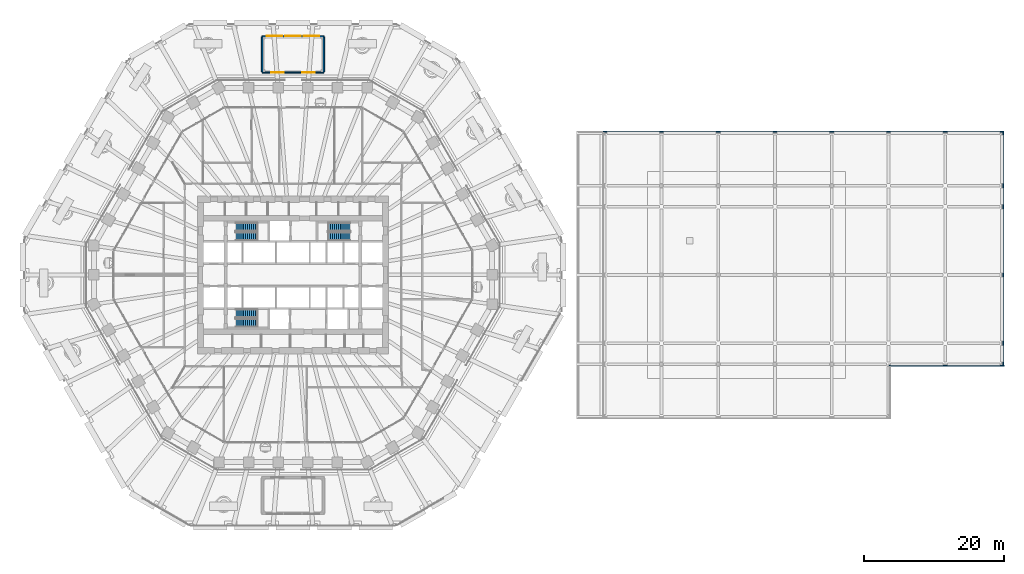
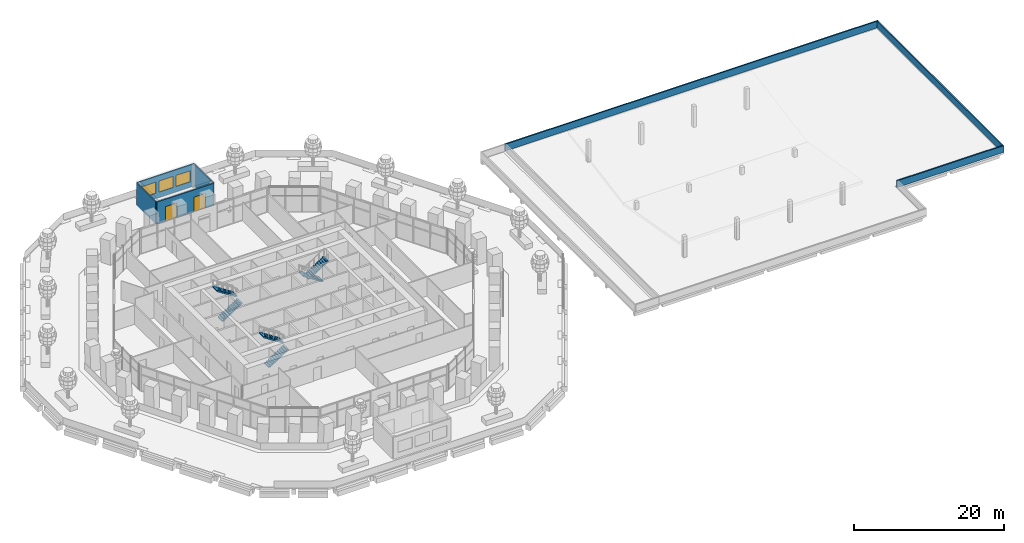
# One storey, part 27 of 32: 7 walls, 6 stair flights, 3 windows, 2 doors, 5 openings, 3 elements without a shape of their own.
"""IFC4 building model written with IfcOpenShell, lengths in metres."""

from ifc_helpers import new_model, si_unit, direction, frame, frame_2d, origin, place, context, subcontext, project, spatial, polyline, rectangle, outline, extrude, material, layer, layer_set, type_object, element, fill, aggregate, save


model = new_model("IFC4")

# Units and contexts
model_context = context("Model", 3, precision=1e-05, world=origin(), true_north=direction((0.0, 1.0)))
body_context = subcontext(model_context, "Body", "Model", "MODEL_VIEW")
ifc_project = project(units=[si_unit("LENGTHUNIT", "METRE"), si_unit("AREAUNIT", "SQUARE_METRE"), si_unit("VOLUMEUNIT", "CUBIC_METRE"), si_unit("PLANEANGLEUNIT", "RADIAN"), si_unit("MASSUNIT", "GRAM", prefix="KILO")], contexts=[model_context])

# Site, building, storey
site_placement = place(None, origin())
site = spatial("IfcSite", under=ifc_project, at=site_placement, CompositionType="ELEMENT")
building_placement = place(site_placement, origin())
building = spatial("IfcBuilding", under=site, at=building_placement, Name="Frailejon Research Tower", CompositionType="ELEMENT")
storey_placement = place(building_placement, frame((0.0, 0.0, 14.60009765625)))
storey = spatial("IfcBuildingStorey", under=building, at=storey_placement, Name="L03", CompositionType="ELEMENT", Elevation=14.60009765625)

# Walls
ifc_material_1 = material(Name="Concrete C35/45", Category="concrete")
ifc_layer_1 = layer(ifc_material_1, 0.199951171875)
ifc_layer_set_1 = layer_set([ifc_layer_1], Name="HC parapet 200")
wall_type_1 = type_object("IfcWallType", Name="HC parapet 200", PredefinedType="PARAPET", material=ifc_layer_set_1)
wall_1_placement = place(storey_placement, frame((44.199951171875, 20.449951171875, 0.0), z_axis=(0.0, 0.0, 1.0), x_axis=(1.0, 0.0, 0.0)))
element("IfcWall", 1, at=wall_1_placement, inside=storey, type_object=wall_type_1, Name="HC roof parapet", PredefinedType="PARAPET", context=body_context, shape_type="SweptSolid", body=[
    extrude(rectangle(XDim=57.300048828125, YDim=0.199951171875, at=frame_2d((28.64990234375, 0.0))), origin(), (0.0, 0.0, 1.0), 1.099853515625),
])
wall_2_placement = place(storey_placement, frame((101.39990234375, -12.85009765625, 0.0), z_axis=(0.0, 0.0, 1.0), x_axis=(0.0, 1.0, 0.0)))
element("IfcWall", 2, at=wall_2_placement, inside=storey, type_object=wall_type_1, Name="HC roof parapet", PredefinedType="PARAPET", context=body_context, shape_type="SweptSolid", body=[
    extrude(rectangle(XDim=33.2001953125, YDim=0.199951171875, at=frame_2d((16.60009765625, 0.0))), origin(), (0.0, 0.0, 1.0), 1.099853515625),
])
wall_3_placement = place(storey_placement, frame((85.10009765625, -12.949951171875, 0.0), z_axis=(0.0, 0.0, 1.0), x_axis=(1.0, 0.0, 0.0)))
element("IfcWall", 3, at=wall_3_placement, inside=storey, type_object=wall_type_1, Name="HC roof parapet", PredefinedType="PARAPET", context=body_context, shape_type="SweptSolid", body=[
    extrude(rectangle(XDim=16.39990234375, YDim=0.199951171875, at=frame_2d((8.199951171875, 0.0))), origin(), (0.0, 0.0, 1.0), 1.099853515625),
])

# Wall, openings, doors
ifc_material_2 = material(Name="Concrete C40/50 precast window wall panel", Category="concrete")
ifc_layer_2 = layer(ifc_material_2, 0.199951171875)
ifc_layer_set_2 = layer_set([ifc_layer_2], Name="Window wall 200")
wall_type_2 = type_object("IfcWallType", Name="Window wall 200", PredefinedType="SOLIDWALL", material=ifc_layer_set_2)
wall_4_placement = place(storey_placement, frame((4.39990234375, 28.89990234375, 0.0), z_axis=(0.0, 0.0, 1.0), x_axis=(-1.0, 0.0, 0.0)))
wall_4 = element("IfcWall", 4, at=wall_4_placement, inside=storey, type_object=wall_type_2, Name="Garden pavilion wall L03", PredefinedType="SOLIDWALL", context=body_context, shape_type="SweptSolid", body=[
    extrude(rectangle(XDim=8.7998046875, YDim=0.199951171875, at=frame_2d((4.39990234375, 0.0))), origin(), (0.0, 0.0, 1.0), 3.599853515625),
])
opening_1_placement = place(wall_4_placement, frame((1.300048828125, 0.0, 0.0)))
opening_1 = element("IfcOpeningElement", 5, at=opening_1_placement, cuts=wall_4, Name="Opening GP03-1A", PredefinedType="OPENING", context=body_context, shape_type="SweptSolid", body=[
    extrude(rectangle(XDim=1.800048828125, YDim=2.39990234375, at=frame_2d((0.89990234375, 1.199951171875))), frame((0.0, 0.10986328125, 0.0), z_axis=(0.0, -1.0, 0.0), x_axis=(1.0, 0.0, 0.0)), (0.0, 0.0, 1.0), 0.219970703125),
])
opening_2_placement = place(wall_4_placement, frame((5.699951171875, 0.0, 0.0)))
opening_2 = element("IfcOpeningElement", 6, at=opening_2_placement, cuts=wall_4, Name="Opening GP03-1B", PredefinedType="OPENING", context=body_context, shape_type="SweptSolid", body=[
    extrude(rectangle(XDim=1.800048828125, YDim=2.39990234375, at=frame_2d((0.89990234375, 1.199951171875))), frame((0.0, 0.10986328125, 0.0), z_axis=(0.0, -1.0, 0.0), x_axis=(1.0, 0.0, 0.0)), (0.0, 0.0, 1.0), 0.219970703125),
])
ifc_material_3 = material(Name="Aluminium framed glazed door leaf", Category="aluminium")
door_type = type_object("IfcDoorType", Name="Terrace door 1800x2400", OperationType="DOUBLE_DOOR_SINGLE_SWING", PredefinedType="DOOR", material=ifc_material_3)
door_1_placement = place(opening_1_placement, origin())
door_1 = element("IfcDoor", 7, at=door_1_placement, inside=storey, type_object=door_type, Name="Door GP03-1A", OperationType="DOUBLE_DOOR_SINGLE_SWING", OverallHeight=2.39990234375, OverallWidth=1.800048828125, PredefinedType="DOOR", context=body_context, shape_type="SweptSolid", body=[
    extrude(rectangle(XDim=1.800048828125, YDim=2.39990234375, at=frame_2d((0.89990234375, 1.199951171875))), frame((0.0, 0.02490234375, 0.0), z_axis=(0.0, -1.0, 0.0), x_axis=(1.0, 0.0, 0.0)), (0.0, 0.0, 1.0), 0.050048828125),
])
fill(opening_1, door_1)
door_2_placement = place(opening_2_placement, origin())
door_2 = element("IfcDoor", 8, at=door_2_placement, inside=storey, type_object=door_type, Name="Door GP03-1B", OperationType="DOUBLE_DOOR_SINGLE_SWING", OverallHeight=2.39990234375, OverallWidth=1.800048828125, PredefinedType="DOOR", context=body_context, shape_type="SweptSolid", body=[
    extrude(rectangle(XDim=1.800048828125, YDim=2.39990234375, at=frame_2d((0.89990234375, 1.199951171875))), frame((0.0, 0.02490234375, 0.0), z_axis=(0.0, -1.0, 0.0), x_axis=(1.0, 0.0, 0.0)), (0.0, 0.0, 1.0), 0.050048828125),
])
fill(opening_2, door_2)

# Wall
wall_5_placement = place(storey_placement, frame((-4.39990234375, 29.0, 0.0), z_axis=(0.0, 0.0, 1.0), x_axis=(0.0, 1.0, 0.0)))
element("IfcWall", 9, at=wall_5_placement, inside=storey, type_object=wall_type_2, Name="Garden pavilion wall L03", PredefinedType="SOLIDWALL", context=body_context, shape_type="SweptSolid", body=[
    extrude(rectangle(XDim=5.0, YDim=0.199951171875, at=frame_2d((2.5, 0.0))), origin(), (0.0, 0.0, 1.0), 3.599853515625),
])

# Wall, openings, windows
wall_6_placement = place(storey_placement, frame((-4.39990234375, 34.10009765625, 0.0), z_axis=(0.0, 0.0, 1.0), x_axis=(1.0, 0.0, 0.0)))
wall_6 = element("IfcWall", 10, at=wall_6_placement, inside=storey, type_object=wall_type_2, Name="Garden pavilion wall L03", PredefinedType="SOLIDWALL", context=body_context, shape_type="SweptSolid", body=[
    extrude(rectangle(XDim=8.7998046875, YDim=0.199951171875, at=frame_2d((4.39990234375, 0.0))), origin(), (0.0, 0.0, 1.0), 3.599853515625),
])
opening_3_placement = place(wall_6_placement, frame((0.659912109375, 0.0, 0.89990234375)))
opening_3 = element("IfcOpeningElement", 11, at=opening_3_placement, cuts=wall_6, Name="Opening W2", PredefinedType="OPENING", context=body_context, shape_type="SweptSolid", body=[
    extrude(rectangle(XDim=2.199951171875, YDim=1.800048828125, at=frame_2d((1.10009765625, 0.89990234375))), frame((0.0, 0.10986328125, 0.0), z_axis=(0.0, -1.0, 0.0), x_axis=(1.0, 0.0, 0.0)), (0.0, 0.0, 1.0), 0.219970703125),
])
opening_4_placement = place(wall_6_placement, frame((3.300048828125, 0.0, 0.89990234375)))
opening_4 = element("IfcOpeningElement", 12, at=opening_4_placement, cuts=wall_6, Name="Opening W2", PredefinedType="OPENING", context=body_context, shape_type="SweptSolid", body=[
    extrude(rectangle(XDim=2.199951171875, YDim=1.800048828125, at=frame_2d((1.10009765625, 0.89990234375))), frame((0.0, 0.10986328125, 0.0), z_axis=(0.0, -1.0, 0.0), x_axis=(1.0, 0.0, 0.0)), (0.0, 0.0, 1.0), 0.219970703125),
])
opening_5_placement = place(wall_6_placement, frame((5.93994140625, 0.0, 0.89990234375)))
opening_5 = element("IfcOpeningElement", 13, at=opening_5_placement, cuts=wall_6, Name="Opening W2", PredefinedType="OPENING", context=body_context, shape_type="SweptSolid", body=[
    extrude(rectangle(XDim=2.199951171875, YDim=1.800048828125, at=frame_2d((1.10009765625, 0.89990234375))), frame((0.0, 0.10986328125, 0.0), z_axis=(0.0, -1.0, 0.0), x_axis=(1.0, 0.0, 0.0)), (0.0, 0.0, 1.0), 0.219970703125),
])
ifc_material_4 = material(Name="Aluminium framed double glazing", Category="aluminium")
window_type = type_object("IfcWindowType", Name="Window 2200x1800", PartitioningType="SINGLE_PANEL", PredefinedType="WINDOW", material=ifc_material_4)
window_1_placement = place(opening_3_placement, origin())
window_1 = element("IfcWindow", 14, at=window_1_placement, inside=storey, type_object=window_type, Name="Window L03", OverallHeight=1.800048828125, OverallWidth=2.199951171875, PartitioningType="SINGLE_PANEL", PredefinedType="WINDOW", context=body_context, shape_type="SweptSolid", body=[
    extrude(rectangle(XDim=2.199951171875, YDim=1.800048828125, at=frame_2d((1.10009765625, 0.89990234375))), frame((0.0, 0.030029296875, 0.0), z_axis=(0.0, -1.0, 0.0), x_axis=(1.0, 0.0, 0.0)), (0.0, 0.0, 1.0), 0.06005859375),
])
fill(opening_3, window_1)
window_2_placement = place(opening_4_placement, origin())
window_2 = element("IfcWindow", 15, at=window_2_placement, inside=storey, type_object=window_type, Name="Window L03", OverallHeight=1.800048828125, OverallWidth=2.199951171875, PartitioningType="SINGLE_PANEL", PredefinedType="WINDOW", context=body_context, shape_type="SweptSolid", body=[
    extrude(rectangle(XDim=2.199951171875, YDim=1.800048828125, at=frame_2d((1.10009765625, 0.89990234375))), frame((0.0, 0.030029296875, 0.0), z_axis=(0.0, -1.0, 0.0), x_axis=(1.0, 0.0, 0.0)), (0.0, 0.0, 1.0), 0.06005859375),
])
fill(opening_4, window_2)
window_3_placement = place(opening_5_placement, origin())
window_3 = element("IfcWindow", 16, at=window_3_placement, inside=storey, type_object=window_type, Name="Window L03", OverallHeight=1.800048828125, OverallWidth=2.199951171875, PartitioningType="SINGLE_PANEL", PredefinedType="WINDOW", context=body_context, shape_type="SweptSolid", body=[
    extrude(rectangle(XDim=2.199951171875, YDim=1.800048828125, at=frame_2d((1.10009765625, 0.89990234375))), frame((0.0, 0.030029296875, 0.0), z_axis=(0.0, -1.0, 0.0), x_axis=(1.0, 0.0, 0.0)), (0.0, 0.0, 1.0), 0.06005859375),
])
fill(opening_5, window_3)

# Wall
wall_7_placement = place(storey_placement, frame((4.39990234375, 34.0, 0.0), z_axis=(0.0, 0.0, 1.0), x_axis=(0.0, -1.0, 0.0)))
element("IfcWall", 17, at=wall_7_placement, inside=storey, type_object=wall_type_2, Name="Garden pavilion wall L03", PredefinedType="SOLIDWALL", context=body_context, shape_type="SweptSolid", body=[
    extrude(rectangle(XDim=5.0, YDim=0.199951171875, at=frame_2d((2.5, 0.0))), origin(), (0.0, 0.0, 1.0), 3.599853515625),
])

# Stair, stair flights
ifc_material_5 = material(Name="Concrete C50/60", Category="concrete")
stair_type = type_object("IfcStairType", Name="Exit stair 24 risers", PredefinedType="HALF_TURN_STAIR", material=ifc_material_5)
stair_1_placement = place(storey_placement, origin())
stair_1 = element("IfcStair", 18, at=stair_1_placement, inside=storey, type_object=stair_type, Name="L03 Exit stair ST1", PredefinedType="HALF_TURN_STAIR")
ifc_material_6 = material(Name="Concrete C50/60", Category="concrete")
ifc_layer_3 = layer(ifc_material_6, 0.14990234375)
ifc_layer_set_3 = layer_set([ifc_layer_3], Name="Stair flight 12 risers")
stair_flight_type = type_object("IfcStairFlightType", Name="Stair flight 12 risers", PredefinedType="STRAIGHT", material=ifc_layer_set_3)
stair_flight_1_placement = place(storey_placement, frame((-8.14990234375, 5.5, 0.0), z_axis=(0.0, 0.0, 1.0), x_axis=(1.0, 0.0, 0.0)))
stair_flight_1 = element("IfcStairFlight", 19, at=stair_flight_1_placement, type_object=stair_flight_type, Name="ST1 flight 1", NumberOfRisers=12, NumberOfTreads=11, PredefinedType="STRAIGHT", RiserHeight=0.183333333, TreadLength=0.28, context=body_context, shape_type="SweptSolid", body=[
    extrude(outline(polyline([(0.0, 0.0), (0.0, 0.183349609375), (0.280029296875, 0.183349609375), (0.280029296875, 0.36669921875), (0.56005859375, 0.36669921875), (0.56005859375, 0.550048828125), (0.840087890625, 0.550048828125), (0.840087890625, 0.7333984375), (1.1201171875, 0.7333984375), (1.1201171875, 0.916748046875), (1.39990234375, 0.916748046875), (1.39990234375, 1.10009765625), (1.679931640625, 1.10009765625), (1.679931640625, 1.283447265625), (1.9599609375, 1.283447265625), (1.9599609375, 1.466552734375), (2.239990234375, 1.466552734375), (2.239990234375, 1.64990234375), (2.52001953125, 1.64990234375), (2.52001953125, 1.833251953125), (2.800048828125, 1.833251953125), (2.800048828125, 2.0166015625), (3.080078125, 2.0166015625), (3.080078125, 2.199951171875), (3.080078125, 1.83740234375), (0.273681640625, 0.0), (0.0, 0.0)])), frame((0.0, 0.60009765625, 0.0), z_axis=(0.0, -1.0, 0.0), x_axis=(1.0, 0.0, 0.0)), (0.0, 0.0, 1.0), 1.199951171875),
])
stair_flight_2_placement = place(storey_placement, frame((-5.070068359375, 6.85009765625, 2.199951171875), z_axis=(0.0, 0.0, 1.0), x_axis=(-1.0, 0.0, 0.0)))
stair_flight_2 = element("IfcStairFlight", 20, at=stair_flight_2_placement, type_object=stair_flight_type, Name="ST1 flight 2", NumberOfRisers=12, NumberOfTreads=11, PredefinedType="STRAIGHT", RiserHeight=0.183333333, TreadLength=0.28, context=body_context, shape_type="SweptSolid", body=[
    extrude(outline(polyline([(0.0, 0.0), (0.0, 0.183349609375), (0.280029296875, 0.183349609375), (0.280029296875, 0.36669921875), (0.56005859375, 0.36669921875), (0.56005859375, 0.550048828125), (0.840087890625, 0.550048828125), (0.840087890625, 0.7333984375), (1.1201171875, 0.7333984375), (1.1201171875, 0.916748046875), (1.39990234375, 0.916748046875), (1.39990234375, 1.10009765625), (1.679931640625, 1.10009765625), (1.679931640625, 1.283447265625), (1.9599609375, 1.283447265625), (1.9599609375, 1.466552734375), (2.239990234375, 1.466552734375), (2.239990234375, 1.64990234375), (2.52001953125, 1.64990234375), (2.52001953125, 1.833251953125), (2.800048828125, 1.833251953125), (2.800048828125, 2.0166015625), (3.080078125, 2.0166015625), (3.080078125, 2.199951171875), (3.080078125, 1.83740234375), (0.273681640625, 0.0), (0.0, 0.0)])), frame((0.0, 0.60009765625, 0.0), z_axis=(0.0, -1.0, 0.0), x_axis=(1.0, 0.0, 0.0)), (0.0, 0.0, 1.0), 1.199951171875),
])
aggregate(stair_1, [stair_flight_1, stair_flight_2])

stair_2_placement = place(storey_placement, origin())
stair_2 = element("IfcStair", 21, at=stair_2_placement, inside=storey, type_object=stair_type, Name="L03 Exit stair ST2", PredefinedType="HALF_TURN_STAIR")
stair_flight_3_placement = place(storey_placement, frame((-8.14990234375, -6.85009765625, 0.0), z_axis=(0.0, 0.0, 1.0), x_axis=(1.0, 0.0, 0.0)))
stair_flight_3 = element("IfcStairFlight", 22, at=stair_flight_3_placement, type_object=stair_flight_type, Name="ST2 flight 1", NumberOfRisers=12, NumberOfTreads=11, PredefinedType="STRAIGHT", RiserHeight=0.183333333, TreadLength=0.28, context=body_context, shape_type="SweptSolid", body=[
    extrude(outline(polyline([(0.0, 0.0), (0.0, 0.183349609375), (0.280029296875, 0.183349609375), (0.280029296875, 0.36669921875), (0.56005859375, 0.36669921875), (0.56005859375, 0.550048828125), (0.840087890625, 0.550048828125), (0.840087890625, 0.7333984375), (1.1201171875, 0.7333984375), (1.1201171875, 0.916748046875), (1.39990234375, 0.916748046875), (1.39990234375, 1.10009765625), (1.679931640625, 1.10009765625), (1.679931640625, 1.283447265625), (1.9599609375, 1.283447265625), (1.9599609375, 1.466552734375), (2.239990234375, 1.466552734375), (2.239990234375, 1.64990234375), (2.52001953125, 1.64990234375), (2.52001953125, 1.833251953125), (2.800048828125, 1.833251953125), (2.800048828125, 2.0166015625), (3.080078125, 2.0166015625), (3.080078125, 2.199951171875), (3.080078125, 1.83740234375), (0.273681640625, 0.0), (0.0, 0.0)])), frame((0.0, 0.60009765625, 0.0), z_axis=(0.0, -1.0, 0.0), x_axis=(1.0, 0.0, 0.0)), (0.0, 0.0, 1.0), 1.199951171875),
])
stair_flight_4_placement = place(storey_placement, frame((-5.070068359375, -5.5, 2.199951171875), z_axis=(0.0, 0.0, 1.0), x_axis=(-1.0, 0.0, 0.0)))
stair_flight_4 = element("IfcStairFlight", 23, at=stair_flight_4_placement, type_object=stair_flight_type, Name="ST2 flight 2", NumberOfRisers=12, NumberOfTreads=11, PredefinedType="STRAIGHT", RiserHeight=0.183333333, TreadLength=0.28, context=body_context, shape_type="SweptSolid", body=[
    extrude(outline(polyline([(0.0, 0.0), (0.0, 0.183349609375), (0.280029296875, 0.183349609375), (0.280029296875, 0.36669921875), (0.56005859375, 0.36669921875), (0.56005859375, 0.550048828125), (0.840087890625, 0.550048828125), (0.840087890625, 0.7333984375), (1.1201171875, 0.7333984375), (1.1201171875, 0.916748046875), (1.39990234375, 0.916748046875), (1.39990234375, 1.10009765625), (1.679931640625, 1.10009765625), (1.679931640625, 1.283447265625), (1.9599609375, 1.283447265625), (1.9599609375, 1.466552734375), (2.239990234375, 1.466552734375), (2.239990234375, 1.64990234375), (2.52001953125, 1.64990234375), (2.52001953125, 1.833251953125), (2.800048828125, 1.833251953125), (2.800048828125, 2.0166015625), (3.080078125, 2.0166015625), (3.080078125, 2.199951171875), (3.080078125, 1.83740234375), (0.273681640625, 0.0), (0.0, 0.0)])), frame((0.0, 0.60009765625, 0.0), z_axis=(0.0, -1.0, 0.0), x_axis=(1.0, 0.0, 0.0)), (0.0, 0.0, 1.0), 1.199951171875),
])
aggregate(stair_2, [stair_flight_3, stair_flight_4])

stair_3_placement = place(storey_placement, origin())
stair_3 = element("IfcStair", 24, at=stair_3_placement, inside=storey, type_object=stair_type, Name="L03 Exit stair ST3", PredefinedType="HALF_TURN_STAIR")
stair_flight_5_placement = place(storey_placement, frame((8.14990234375, 6.85009765625, 0.0), z_axis=(0.0, 0.0, 1.0), x_axis=(-1.0, 0.0, 0.0)))
stair_flight_5 = element("IfcStairFlight", 25, at=stair_flight_5_placement, type_object=stair_flight_type, Name="ST3 flight 1", NumberOfRisers=12, NumberOfTreads=11, PredefinedType="STRAIGHT", RiserHeight=0.183333333, TreadLength=0.28, context=body_context, shape_type="SweptSolid", body=[
    extrude(outline(polyline([(0.0, 0.0), (0.0, 0.183349609375), (0.280029296875, 0.183349609375), (0.280029296875, 0.36669921875), (0.56005859375, 0.36669921875), (0.56005859375, 0.550048828125), (0.840087890625, 0.550048828125), (0.840087890625, 0.7333984375), (1.1201171875, 0.7333984375), (1.1201171875, 0.916748046875), (1.39990234375, 0.916748046875), (1.39990234375, 1.10009765625), (1.679931640625, 1.10009765625), (1.679931640625, 1.283447265625), (1.9599609375, 1.283447265625), (1.9599609375, 1.466552734375), (2.239990234375, 1.466552734375), (2.239990234375, 1.64990234375), (2.52001953125, 1.64990234375), (2.52001953125, 1.833251953125), (2.800048828125, 1.833251953125), (2.800048828125, 2.0166015625), (3.080078125, 2.0166015625), (3.080078125, 2.199951171875), (3.080078125, 1.83740234375), (0.273681640625, 0.0), (0.0, 0.0)])), frame((0.0, 0.60009765625, 0.0), z_axis=(0.0, -1.0, 0.0), x_axis=(1.0, 0.0, 0.0)), (0.0, 0.0, 1.0), 1.199951171875),
])
stair_flight_6_placement = place(storey_placement, frame((5.070068359375, 5.5, 2.199951171875), z_axis=(0.0, 0.0, 1.0), x_axis=(1.0, 0.0, 0.0)))
stair_flight_6 = element("IfcStairFlight", 26, at=stair_flight_6_placement, type_object=stair_flight_type, Name="ST3 flight 2", NumberOfRisers=12, NumberOfTreads=11, PredefinedType="STRAIGHT", RiserHeight=0.183333333, TreadLength=0.28, context=body_context, shape_type="SweptSolid", body=[
    extrude(outline(polyline([(0.0, 0.0), (0.0, 0.183349609375), (0.280029296875, 0.183349609375), (0.280029296875, 0.36669921875), (0.56005859375, 0.36669921875), (0.56005859375, 0.550048828125), (0.840087890625, 0.550048828125), (0.840087890625, 0.7333984375), (1.1201171875, 0.7333984375), (1.1201171875, 0.916748046875), (1.39990234375, 0.916748046875), (1.39990234375, 1.10009765625), (1.679931640625, 1.10009765625), (1.679931640625, 1.283447265625), (1.9599609375, 1.283447265625), (1.9599609375, 1.466552734375), (2.239990234375, 1.466552734375), (2.239990234375, 1.64990234375), (2.52001953125, 1.64990234375), (2.52001953125, 1.833251953125), (2.800048828125, 1.833251953125), (2.800048828125, 2.0166015625), (3.080078125, 2.0166015625), (3.080078125, 2.199951171875), (3.080078125, 1.83740234375), (0.273681640625, 0.0), (0.0, 0.0)])), frame((0.0, 0.60009765625, 0.0), z_axis=(0.0, -1.0, 0.0), x_axis=(1.0, 0.0, 0.0)), (0.0, 0.0, 1.0), 1.199951171875),
])
aggregate(stair_3, [stair_flight_5, stair_flight_6])

save(model, "model.ifc")
